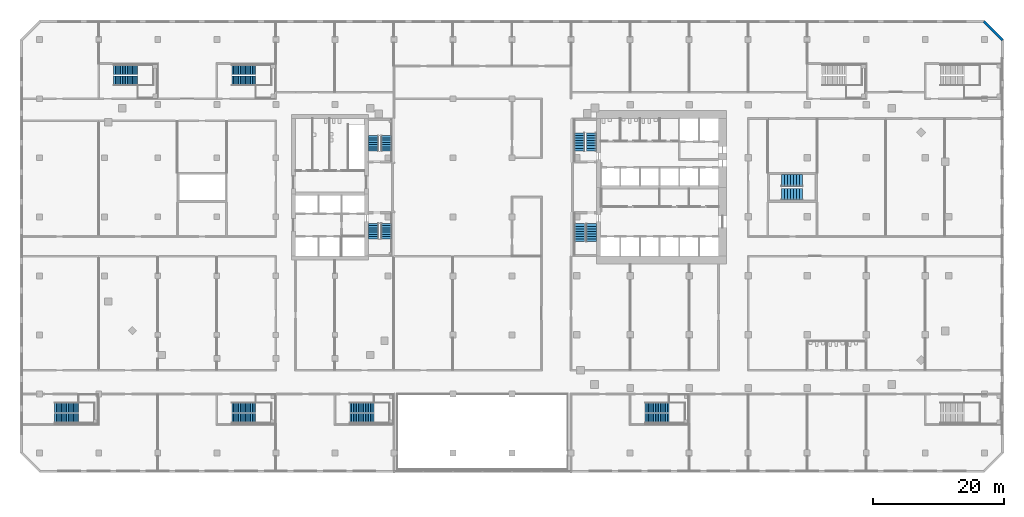
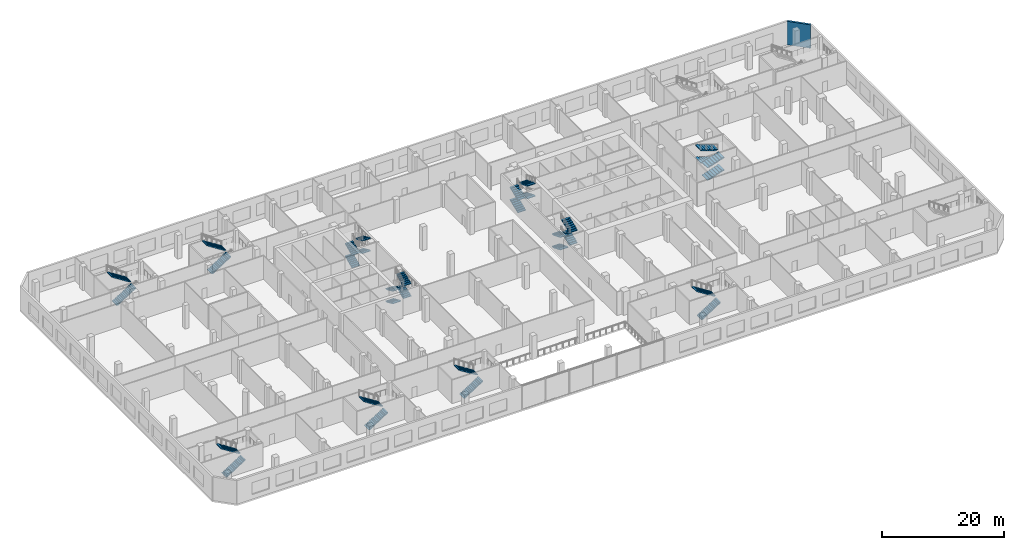
# One storey, part 17 of 23: 32 stair flights, 1 wall, 11 elements without a shape of their own.
"""IFC4 building model written with IfcOpenShell, lengths in metres."""

from ifc_helpers import new_model, si_unit, direction, frame, frame_2d, origin, place, context, subcontext, project, spatial, polyline, rectangle, outline, extrude, material, layer, layer_set, type_object, element, aggregate, save


model = new_model("IFC4")

# Units and contexts
model_context = context("Model", 3, precision=1e-05, world=origin(), true_north=direction((0.0, 1.0)))
body_context = subcontext(model_context, "Body", "Model", "MODEL_VIEW")
ifc_project = project(units=[si_unit("LENGTHUNIT", "METRE"), si_unit("AREAUNIT", "SQUARE_METRE"), si_unit("VOLUMEUNIT", "CUBIC_METRE"), si_unit("PLANEANGLEUNIT", "RADIAN"), si_unit("MASSUNIT", "GRAM", prefix="KILO")], contexts=[model_context])

# Site, building, storey
site_placement = place(None, origin())
site = spatial("IfcSite", under=ifc_project, at=site_placement, CompositionType="ELEMENT")
building_placement = place(site_placement, origin())
building = spatial("IfcBuilding", under=site, at=building_placement, Name="Cinnabar Reach Civic Tower", CompositionType="ELEMENT")
storey_placement = place(building_placement, frame((0.0, 0.0, 6.0)))
storey = spatial("IfcBuildingStorey", under=building, at=storey_placement, Name="L01", CompositionType="ELEMENT", Elevation=6.0)

# Wall
ifc_material_1 = material(Name="Facing brick with insulated backing", Category="masonry")
ifc_layer = layer(ifc_material_1, 0.36)
ifc_layer_set = layer_set([ifc_layer], Name="Brick corner wall")
wall_type = type_object("IfcWallType", Name="Brick corner wall", PredefinedType="STANDARD", material=ifc_layer_set)
wall_placement = place(storey_placement, frame((65.7843, 53.9611, 0.0), z_axis=(0.0, 0.0, 1.0), x_axis=(-0.707106781187, 0.707106781187, 0.0)))
element("IfcWall", 1, at=wall_placement, inside=storey, type_object=wall_type, Name="Brick corner wall", PredefinedType="STANDARD", context=body_context, shape_type="SweptSolid", body=[
    extrude(rectangle(XDim=3.9926, YDim=0.36, at=frame_2d((1.9963, 0.0))), origin(), (0.0, 0.0, 1.0), 4.7),
])

# Stair, stair flights
ifc_material_2 = material(Name="Concrete C35", Category="concrete")
stair_type_1 = type_object("IfcStairType", Name="Podium exit stair 1500", PredefinedType="HALF_TURN_STAIR", material=ifc_material_2)
stair_1_placement = place(storey_placement, origin())
stair_1 = element("IfcStair", 2, at=stair_1_placement, inside=storey, type_object=stair_type_1, Name="Stair PS1", PredefinedType="HALF_TURN_STAIR")
stair_flight_type_1 = type_object("IfcStairFlightType", Name="Podium exit stair flight 1500", PredefinedType="STRAIGHT", material=ifc_material_2)
stair_flight_1_placement = place(storey_placement, frame((-78.71, -3.75, 0.0), z_axis=(0.0, 0.0, 1.0), x_axis=(1.0, 0.0, 0.0)))
stair_flight_1 = element("IfcStairFlight", 3, at=stair_flight_1_placement, type_object=stair_flight_type_1, Name="PS1 flight 1", NumberOfRisers=15, NumberOfTreads=14, PredefinedType="STRAIGHT", RiserHeight=0.166666667, TreadLength=0.26, context=body_context, shape_type="SweptSolid", body=[
    extrude(outline(polyline([(0.0, 0.0), (0.0, 0.1667), (0.26, 0.1667), (0.26, 0.3333), (0.52, 0.3333), (0.52, 0.5), (0.78, 0.5), (0.78, 0.6667), (1.04, 0.6667), (1.04, 0.8333), (1.3, 0.8333), (1.3, 1.0), (1.56, 1.0), (1.56, 1.1667), (1.82, 1.1667), (1.82, 1.3333), (2.08, 1.3333), (2.08, 1.5), (2.34, 1.5), (2.34, 1.6667), (2.6, 1.6667), (2.6, 1.8333), (2.86, 1.8333), (2.86, 2.0), (3.12, 2.0), (3.12, 2.1667), (3.38, 2.1667), (3.38, 2.3333), (3.64, 2.3333), (3.64, 2.5), (3.64, 2.1552), (0.2779, 0.0), (0.0, 0.0)])), frame((0.0, 0.75, 0.0), z_axis=(0.0, -1.0, 0.0), x_axis=(1.0, 0.0, 0.0)), (0.0, 0.0, 1.0), 1.5),
])
stair_flight_2_placement = place(storey_placement, frame((-75.07, -2.05, 2.5), z_axis=(0.0, 0.0, 1.0), x_axis=(-1.0, 0.0, 0.0)))
stair_flight_2 = element("IfcStairFlight", 4, at=stair_flight_2_placement, type_object=stair_flight_type_1, Name="PS1 flight 2", NumberOfRisers=15, NumberOfTreads=14, PredefinedType="STRAIGHT", RiserHeight=0.166666667, TreadLength=0.26, context=body_context, shape_type="SweptSolid", body=[
    extrude(outline(polyline([(0.0, 0.0), (0.0, 0.1667), (0.26, 0.1667), (0.26, 0.3333), (0.52, 0.3333), (0.52, 0.5), (0.78, 0.5), (0.78, 0.6667), (1.04, 0.6667), (1.04, 0.8333), (1.3, 0.8333), (1.3, 1.0), (1.56, 1.0), (1.56, 1.1667), (1.82, 1.1667), (1.82, 1.3333), (2.08, 1.3333), (2.08, 1.5), (2.34, 1.5), (2.34, 1.6667), (2.6, 1.6667), (2.6, 1.8333), (2.86, 1.8333), (2.86, 2.0), (3.12, 2.0), (3.12, 2.1667), (3.38, 2.1667), (3.38, 2.3333), (3.64, 2.3333), (3.64, 2.5), (3.64, 2.1552), (0.2779, 0.0), (0.0, 0.0)])), frame((0.0, 0.75, 0.0), z_axis=(0.0, -1.0, 0.0), x_axis=(1.0, 0.0, 0.0)), (0.0, 0.0, 1.0), 1.5),
])
aggregate(stair_1, [stair_flight_1, stair_flight_2])

stair_2_placement = place(storey_placement, origin())
stair_2 = element("IfcStair", 5, at=stair_2_placement, inside=storey, type_object=stair_type_1, Name="Stair PS2", PredefinedType="HALF_TURN_STAIR")
stair_flight_3_placement = place(storey_placement, frame((-69.71, 47.75, 0.0), z_axis=(0.0, 0.0, 1.0), x_axis=(1.0, 0.0, 0.0)))
stair_flight_3 = element("IfcStairFlight", 6, at=stair_flight_3_placement, type_object=stair_flight_type_1, Name="PS2 flight 1", NumberOfRisers=15, NumberOfTreads=14, PredefinedType="STRAIGHT", RiserHeight=0.166666667, TreadLength=0.26, context=body_context, shape_type="SweptSolid", body=[
    extrude(outline(polyline([(0.0, 0.0), (0.0, 0.1667), (0.26, 0.1667), (0.26, 0.3333), (0.52, 0.3333), (0.52, 0.5), (0.78, 0.5), (0.78, 0.6667), (1.04, 0.6667), (1.04, 0.8333), (1.3, 0.8333), (1.3, 1.0), (1.56, 1.0), (1.56, 1.1667), (1.82, 1.1667), (1.82, 1.3333), (2.08, 1.3333), (2.08, 1.5), (2.34, 1.5), (2.34, 1.6667), (2.6, 1.6667), (2.6, 1.8333), (2.86, 1.8333), (2.86, 2.0), (3.12, 2.0), (3.12, 2.1667), (3.38, 2.1667), (3.38, 2.3333), (3.64, 2.3333), (3.64, 2.5), (3.64, 2.1552), (0.2779, 0.0), (0.0, 0.0)])), frame((0.0, 0.75, 0.0), z_axis=(0.0, -1.0, 0.0), x_axis=(1.0, 0.0, 0.0)), (0.0, 0.0, 1.0), 1.5),
])
stair_flight_4_placement = place(storey_placement, frame((-66.07, 49.45, 2.5), z_axis=(0.0, 0.0, 1.0), x_axis=(-1.0, 0.0, 0.0)))
stair_flight_4 = element("IfcStairFlight", 7, at=stair_flight_4_placement, type_object=stair_flight_type_1, Name="PS2 flight 2", NumberOfRisers=15, NumberOfTreads=14, PredefinedType="STRAIGHT", RiserHeight=0.166666667, TreadLength=0.26, context=body_context, shape_type="SweptSolid", body=[
    extrude(outline(polyline([(0.0, 0.0), (0.0, 0.1667), (0.26, 0.1667), (0.26, 0.3333), (0.52, 0.3333), (0.52, 0.5), (0.78, 0.5), (0.78, 0.6667), (1.04, 0.6667), (1.04, 0.8333), (1.3, 0.8333), (1.3, 1.0), (1.56, 1.0), (1.56, 1.1667), (1.82, 1.1667), (1.82, 1.3333), (2.08, 1.3333), (2.08, 1.5), (2.34, 1.5), (2.34, 1.6667), (2.6, 1.6667), (2.6, 1.8333), (2.86, 1.8333), (2.86, 2.0), (3.12, 2.0), (3.12, 2.1667), (3.38, 2.1667), (3.38, 2.3333), (3.64, 2.3333), (3.64, 2.5), (3.64, 2.1552), (0.2779, 0.0), (0.0, 0.0)])), frame((0.0, 0.75, 0.0), z_axis=(0.0, -1.0, 0.0), x_axis=(1.0, 0.0, 0.0)), (0.0, 0.0, 1.0), 1.5),
])
aggregate(stair_2, [stair_flight_3, stair_flight_4])

stair_3_placement = place(storey_placement, origin())
stair_3 = element("IfcStair", 8, at=stair_3_placement, inside=storey, type_object=stair_type_1, Name="Stair PS3", PredefinedType="HALF_TURN_STAIR")
stair_flight_5_placement = place(storey_placement, frame((11.29, -3.75, 0.0), z_axis=(0.0, 0.0, 1.0), x_axis=(1.0, 0.0, 0.0)))
stair_flight_5 = element("IfcStairFlight", 9, at=stair_flight_5_placement, type_object=stair_flight_type_1, Name="PS3 flight 1", NumberOfRisers=15, NumberOfTreads=14, PredefinedType="STRAIGHT", RiserHeight=0.166666667, TreadLength=0.26, context=body_context, shape_type="SweptSolid", body=[
    extrude(outline(polyline([(0.0, 0.0), (0.0, 0.1667), (0.26, 0.1667), (0.26, 0.3333), (0.52, 0.3333), (0.52, 0.5), (0.78, 0.5), (0.78, 0.6667), (1.04, 0.6667), (1.04, 0.8333), (1.3, 0.8333), (1.3, 1.0), (1.56, 1.0), (1.56, 1.1667), (1.82, 1.1667), (1.82, 1.3333), (2.08, 1.3333), (2.08, 1.5), (2.34, 1.5), (2.34, 1.6667), (2.6, 1.6667), (2.6, 1.8333), (2.86, 1.8333), (2.86, 2.0), (3.12, 2.0), (3.12, 2.1667), (3.38, 2.1667), (3.38, 2.3333), (3.64, 2.3333), (3.64, 2.5), (3.64, 2.1552), (0.2779, 0.0), (0.0, 0.0)])), frame((0.0, 0.75, 0.0), z_axis=(0.0, -1.0, 0.0), x_axis=(1.0, 0.0, 0.0)), (0.0, 0.0, 1.0), 1.5),
])
stair_flight_6_placement = place(storey_placement, frame((14.93, -2.05, 2.5), z_axis=(0.0, 0.0, 1.0), x_axis=(-1.0, 0.0, 0.0)))
stair_flight_6 = element("IfcStairFlight", 10, at=stair_flight_6_placement, type_object=stair_flight_type_1, Name="PS3 flight 2", NumberOfRisers=15, NumberOfTreads=14, PredefinedType="STRAIGHT", RiserHeight=0.166666667, TreadLength=0.26, context=body_context, shape_type="SweptSolid", body=[
    extrude(outline(polyline([(0.0, 0.0), (0.0, 0.1667), (0.26, 0.1667), (0.26, 0.3333), (0.52, 0.3333), (0.52, 0.5), (0.78, 0.5), (0.78, 0.6667), (1.04, 0.6667), (1.04, 0.8333), (1.3, 0.8333), (1.3, 1.0), (1.56, 1.0), (1.56, 1.1667), (1.82, 1.1667), (1.82, 1.3333), (2.08, 1.3333), (2.08, 1.5), (2.34, 1.5), (2.34, 1.6667), (2.6, 1.6667), (2.6, 1.8333), (2.86, 1.8333), (2.86, 2.0), (3.12, 2.0), (3.12, 2.1667), (3.38, 2.1667), (3.38, 2.3333), (3.64, 2.3333), (3.64, 2.5), (3.64, 2.1552), (0.2779, 0.0), (0.0, 0.0)])), frame((0.0, 0.75, 0.0), z_axis=(0.0, -1.0, 0.0), x_axis=(1.0, 0.0, 0.0)), (0.0, 0.0, 1.0), 1.5),
])
aggregate(stair_3, [stair_flight_5, stair_flight_6])

stair_4_placement = place(storey_placement, origin())
stair_4 = element("IfcStair", 11, at=stair_4_placement, inside=storey, type_object=stair_type_1, Name="Stair PS7", PredefinedType="HALF_TURN_STAIR")
stair_flight_7_placement = place(storey_placement, frame((-51.71, 47.75, 0.0), z_axis=(0.0, 0.0, 1.0), x_axis=(1.0, 0.0, 0.0)))
stair_flight_7 = element("IfcStairFlight", 12, at=stair_flight_7_placement, type_object=stair_flight_type_1, Name="PS7 flight 1", NumberOfRisers=15, NumberOfTreads=14, PredefinedType="STRAIGHT", RiserHeight=0.166666667, TreadLength=0.26, context=body_context, shape_type="SweptSolid", body=[
    extrude(outline(polyline([(0.0, 0.0), (0.0, 0.1667), (0.26, 0.1667), (0.26, 0.3333), (0.52, 0.3333), (0.52, 0.5), (0.78, 0.5), (0.78, 0.6667), (1.04, 0.6667), (1.04, 0.8333), (1.3, 0.8333), (1.3, 1.0), (1.56, 1.0), (1.56, 1.1667), (1.82, 1.1667), (1.82, 1.3333), (2.08, 1.3333), (2.08, 1.5), (2.34, 1.5), (2.34, 1.6667), (2.6, 1.6667), (2.6, 1.8333), (2.86, 1.8333), (2.86, 2.0), (3.12, 2.0), (3.12, 2.1667), (3.38, 2.1667), (3.38, 2.3333), (3.64, 2.3333), (3.64, 2.5), (3.64, 2.1552), (0.2779, 0.0), (0.0, 0.0)])), frame((0.0, 0.75, 0.0), z_axis=(0.0, -1.0, 0.0), x_axis=(1.0, 0.0, 0.0)), (0.0, 0.0, 1.0), 1.5),
])
stair_flight_8_placement = place(storey_placement, frame((-48.07, 49.45, 2.5), z_axis=(0.0, 0.0, 1.0), x_axis=(-1.0, 0.0, 0.0)))
stair_flight_8 = element("IfcStairFlight", 13, at=stair_flight_8_placement, type_object=stair_flight_type_1, Name="PS7 flight 2", NumberOfRisers=15, NumberOfTreads=14, PredefinedType="STRAIGHT", RiserHeight=0.166666667, TreadLength=0.26, context=body_context, shape_type="SweptSolid", body=[
    extrude(outline(polyline([(0.0, 0.0), (0.0, 0.1667), (0.26, 0.1667), (0.26, 0.3333), (0.52, 0.3333), (0.52, 0.5), (0.78, 0.5), (0.78, 0.6667), (1.04, 0.6667), (1.04, 0.8333), (1.3, 0.8333), (1.3, 1.0), (1.56, 1.0), (1.56, 1.1667), (1.82, 1.1667), (1.82, 1.3333), (2.08, 1.3333), (2.08, 1.5), (2.34, 1.5), (2.34, 1.6667), (2.6, 1.6667), (2.6, 1.8333), (2.86, 1.8333), (2.86, 2.0), (3.12, 2.0), (3.12, 2.1667), (3.38, 2.1667), (3.38, 2.3333), (3.64, 2.3333), (3.64, 2.5), (3.64, 2.1552), (0.2779, 0.0), (0.0, 0.0)])), frame((0.0, 0.75, 0.0), z_axis=(0.0, -1.0, 0.0), x_axis=(1.0, 0.0, 0.0)), (0.0, 0.0, 1.0), 1.5),
])
aggregate(stair_4, [stair_flight_7, stair_flight_8])

stair_5_placement = place(storey_placement, origin())
stair_5 = element("IfcStair", 14, at=stair_5_placement, inside=storey, type_object=stair_type_1, Name="Stair PS8", PredefinedType="HALF_TURN_STAIR")
stair_flight_9_placement = place(storey_placement, frame((-51.71, -3.75, 0.0), z_axis=(0.0, 0.0, 1.0), x_axis=(1.0, 0.0, 0.0)))
stair_flight_9 = element("IfcStairFlight", 15, at=stair_flight_9_placement, type_object=stair_flight_type_1, Name="PS8 flight 1", NumberOfRisers=15, NumberOfTreads=14, PredefinedType="STRAIGHT", RiserHeight=0.166666667, TreadLength=0.26, context=body_context, shape_type="SweptSolid", body=[
    extrude(outline(polyline([(0.0, 0.0), (0.0, 0.1667), (0.26, 0.1667), (0.26, 0.3333), (0.52, 0.3333), (0.52, 0.5), (0.78, 0.5), (0.78, 0.6667), (1.04, 0.6667), (1.04, 0.8333), (1.3, 0.8333), (1.3, 1.0), (1.56, 1.0), (1.56, 1.1667), (1.82, 1.1667), (1.82, 1.3333), (2.08, 1.3333), (2.08, 1.5), (2.34, 1.5), (2.34, 1.6667), (2.6, 1.6667), (2.6, 1.8333), (2.86, 1.8333), (2.86, 2.0), (3.12, 2.0), (3.12, 2.1667), (3.38, 2.1667), (3.38, 2.3333), (3.64, 2.3333), (3.64, 2.5), (3.64, 2.1552), (0.2779, 0.0), (0.0, 0.0)])), frame((0.0, 0.75, 0.0), z_axis=(0.0, -1.0, 0.0), x_axis=(1.0, 0.0, 0.0)), (0.0, 0.0, 1.0), 1.5),
])
stair_flight_10_placement = place(storey_placement, frame((-48.07, -2.05, 2.5), z_axis=(0.0, 0.0, 1.0), x_axis=(-1.0, 0.0, 0.0)))
stair_flight_10 = element("IfcStairFlight", 16, at=stair_flight_10_placement, type_object=stair_flight_type_1, Name="PS8 flight 2", NumberOfRisers=15, NumberOfTreads=14, PredefinedType="STRAIGHT", RiserHeight=0.166666667, TreadLength=0.26, context=body_context, shape_type="SweptSolid", body=[
    extrude(outline(polyline([(0.0, 0.0), (0.0, 0.1667), (0.26, 0.1667), (0.26, 0.3333), (0.52, 0.3333), (0.52, 0.5), (0.78, 0.5), (0.78, 0.6667), (1.04, 0.6667), (1.04, 0.8333), (1.3, 0.8333), (1.3, 1.0), (1.56, 1.0), (1.56, 1.1667), (1.82, 1.1667), (1.82, 1.3333), (2.08, 1.3333), (2.08, 1.5), (2.34, 1.5), (2.34, 1.6667), (2.6, 1.6667), (2.6, 1.8333), (2.86, 1.8333), (2.86, 2.0), (3.12, 2.0), (3.12, 2.1667), (3.38, 2.1667), (3.38, 2.3333), (3.64, 2.3333), (3.64, 2.5), (3.64, 2.1552), (0.2779, 0.0), (0.0, 0.0)])), frame((0.0, 0.75, 0.0), z_axis=(0.0, -1.0, 0.0), x_axis=(1.0, 0.0, 0.0)), (0.0, 0.0, 1.0), 1.5),
])
aggregate(stair_5, [stair_flight_9, stair_flight_10])

stair_6_placement = place(storey_placement, origin())
stair_6 = element("IfcStair", 17, at=stair_6_placement, inside=storey, type_object=stair_type_1, Name="Stair PS9", PredefinedType="HALF_TURN_STAIR")
stair_flight_11_placement = place(storey_placement, frame((-33.71, -3.75, 0.0), z_axis=(0.0, 0.0, 1.0), x_axis=(1.0, 0.0, 0.0)))
stair_flight_11 = element("IfcStairFlight", 18, at=stair_flight_11_placement, type_object=stair_flight_type_1, Name="PS9 flight 1", NumberOfRisers=15, NumberOfTreads=14, PredefinedType="STRAIGHT", RiserHeight=0.166666667, TreadLength=0.26, context=body_context, shape_type="SweptSolid", body=[
    extrude(outline(polyline([(0.0, 0.0), (0.0, 0.1667), (0.26, 0.1667), (0.26, 0.3333), (0.52, 0.3333), (0.52, 0.5), (0.78, 0.5), (0.78, 0.6667), (1.04, 0.6667), (1.04, 0.8333), (1.3, 0.8333), (1.3, 1.0), (1.56, 1.0), (1.56, 1.1667), (1.82, 1.1667), (1.82, 1.3333), (2.08, 1.3333), (2.08, 1.5), (2.34, 1.5), (2.34, 1.6667), (2.6, 1.6667), (2.6, 1.8333), (2.86, 1.8333), (2.86, 2.0), (3.12, 2.0), (3.12, 2.1667), (3.38, 2.1667), (3.38, 2.3333), (3.64, 2.3333), (3.64, 2.5), (3.64, 2.1552), (0.2779, 0.0), (0.0, 0.0)])), frame((0.0, 0.75, 0.0), z_axis=(0.0, -1.0, 0.0), x_axis=(1.0, 0.0, 0.0)), (0.0, 0.0, 1.0), 1.5),
])
stair_flight_12_placement = place(storey_placement, frame((-30.07, -2.05, 2.5), z_axis=(0.0, 0.0, 1.0), x_axis=(-1.0, 0.0, 0.0)))
stair_flight_12 = element("IfcStairFlight", 19, at=stair_flight_12_placement, type_object=stair_flight_type_1, Name="PS9 flight 2", NumberOfRisers=15, NumberOfTreads=14, PredefinedType="STRAIGHT", RiserHeight=0.166666667, TreadLength=0.26, context=body_context, shape_type="SweptSolid", body=[
    extrude(outline(polyline([(0.0, 0.0), (0.0, 0.1667), (0.26, 0.1667), (0.26, 0.3333), (0.52, 0.3333), (0.52, 0.5), (0.78, 0.5), (0.78, 0.6667), (1.04, 0.6667), (1.04, 0.8333), (1.3, 0.8333), (1.3, 1.0), (1.56, 1.0), (1.56, 1.1667), (1.82, 1.1667), (1.82, 1.3333), (2.08, 1.3333), (2.08, 1.5), (2.34, 1.5), (2.34, 1.6667), (2.6, 1.6667), (2.6, 1.8333), (2.86, 1.8333), (2.86, 2.0), (3.12, 2.0), (3.12, 2.1667), (3.38, 2.1667), (3.38, 2.3333), (3.64, 2.3333), (3.64, 2.5), (3.64, 2.1552), (0.2779, 0.0), (0.0, 0.0)])), frame((0.0, 0.75, 0.0), z_axis=(0.0, -1.0, 0.0), x_axis=(1.0, 0.0, 0.0)), (0.0, 0.0, 1.0), 1.5),
])
aggregate(stair_6, [stair_flight_11, stair_flight_12])

ifc_material_3 = material(Name="Concrete C40/50", Category="concrete")
stair_type_2 = type_object("IfcStairType", Name="T1 Exit stair, double return", PredefinedType="DOUBLE_RETURN_STAIR", material=ifc_material_3)
stair_7_placement = place(storey_placement, origin())
stair_7 = element("IfcStair", 20, at=stair_7_placement, inside=storey, type_object=stair_type_2, Name="Stair T1-S1", PredefinedType="DOUBLE_RETURN_STAIR")
stair_flight_type_2 = type_object("IfcStairFlightType", Name="T1 Stair flight, concrete", PredefinedType="STRAIGHT", material=ifc_material_3)
stair_flight_13_placement = place(storey_placement, frame((1.3125, 25.95, 0.0), z_axis=(0.0, 0.0, 1.0), x_axis=(0.0, -1.0, 0.0)))
stair_flight_13 = element("IfcStairFlight", 21, at=stair_flight_13_placement, type_object=stair_flight_type_2, Name="T1-S1 flight 1", NumberOfRisers=8, NumberOfTreads=7, PredefinedType="STRAIGHT", RiserHeight=0.15625, TreadLength=0.392142857, context=body_context, shape_type="SweptSolid", body=[
    extrude(outline(polyline([(0.0, 0.0), (0.0, 0.1562), (0.3921, 0.1562), (0.3921, 0.3125), (0.7843, 0.3125), (0.7843, 0.4688), (1.1764, 0.4688), (1.1764, 0.625), (1.5686, 0.625), (1.5686, 0.7812), (1.9607, 0.7812), (1.9607, 0.9375), (2.3529, 0.9375), (2.3529, 1.0938), (2.745, 1.0938), (2.745, 1.25), (2.745, 0.9323), (0.4052, 0.0), (0.0, 0.0)])), frame((0.0, 0.7625, 0.0), z_axis=(0.0, -1.0, 0.0), x_axis=(1.0, 0.0, 0.0)), (0.0, 0.0, 1.0), 1.525),
])
stair_flight_14_placement = place(storey_placement, frame((3.0875, 23.205, 1.25), z_axis=(0.0, 0.0, 1.0), x_axis=(0.0, 1.0, 0.0)))
stair_flight_14 = element("IfcStairFlight", 22, at=stair_flight_14_placement, type_object=stair_flight_type_2, Name="T1-S1 flight 2", NumberOfRisers=8, NumberOfTreads=7, PredefinedType="STRAIGHT", RiserHeight=0.15625, TreadLength=0.392142857, context=body_context, shape_type="SweptSolid", body=[
    extrude(outline(polyline([(0.0, 0.0), (0.0, 0.1562), (0.3921, 0.1562), (0.3921, 0.3125), (0.7843, 0.3125), (0.7843, 0.4688), (1.1764, 0.4688), (1.1764, 0.625), (1.5686, 0.625), (1.5686, 0.7812), (1.9607, 0.7812), (1.9607, 0.9375), (2.3529, 0.9375), (2.3529, 1.0938), (2.745, 1.0938), (2.745, 1.25), (2.745, 0.9323), (0.4052, 0.0), (0.0, 0.0)])), frame((0.0, 0.7625, 0.0), z_axis=(0.0, -1.0, 0.0), x_axis=(1.0, 0.0, 0.0)), (0.0, 0.0, 1.0), 1.525),
])
stair_flight_15_placement = place(storey_placement, frame((1.3125, 25.95, 2.5), z_axis=(0.0, 0.0, 1.0), x_axis=(0.0, -1.0, 0.0)))
stair_flight_15 = element("IfcStairFlight", 23, at=stair_flight_15_placement, type_object=stair_flight_type_2, Name="T1-S1 flight 3", NumberOfRisers=8, NumberOfTreads=7, PredefinedType="STRAIGHT", RiserHeight=0.15625, TreadLength=0.392142857, context=body_context, shape_type="SweptSolid", body=[
    extrude(outline(polyline([(0.0, 0.0), (0.0, 0.1562), (0.3921, 0.1562), (0.3921, 0.3125), (0.7843, 0.3125), (0.7843, 0.4688), (1.1764, 0.4688), (1.1764, 0.625), (1.5686, 0.625), (1.5686, 0.7812), (1.9607, 0.7812), (1.9607, 0.9375), (2.3529, 0.9375), (2.3529, 1.0938), (2.745, 1.0938), (2.745, 1.25), (2.745, 0.9323), (0.4052, 0.0), (0.0, 0.0)])), frame((0.0, 0.7625, 0.0), z_axis=(0.0, -1.0, 0.0), x_axis=(1.0, 0.0, 0.0)), (0.0, 0.0, 1.0), 1.525),
])
stair_flight_16_placement = place(storey_placement, frame((3.0875, 23.205, 3.75), z_axis=(0.0, 0.0, 1.0), x_axis=(0.0, 1.0, 0.0)))
stair_flight_16 = element("IfcStairFlight", 24, at=stair_flight_16_placement, type_object=stair_flight_type_2, Name="T1-S1 flight 4", NumberOfRisers=8, NumberOfTreads=7, PredefinedType="STRAIGHT", RiserHeight=0.15625, TreadLength=0.392142857, context=body_context, shape_type="SweptSolid", body=[
    extrude(outline(polyline([(0.0, 0.0), (0.0, 0.1562), (0.3921, 0.1562), (0.3921, 0.3125), (0.7843, 0.3125), (0.7843, 0.4688), (1.1764, 0.4688), (1.1764, 0.625), (1.5686, 0.625), (1.5686, 0.7812), (1.9607, 0.7812), (1.9607, 0.9375), (2.3529, 0.9375), (2.3529, 1.0938), (2.745, 1.0938), (2.745, 1.25), (2.745, 0.9323), (0.4052, 0.0), (0.0, 0.0)])), frame((0.0, 0.7625, 0.0), z_axis=(0.0, -1.0, 0.0), x_axis=(1.0, 0.0, 0.0)), (0.0, 0.0, 1.0), 1.525),
])
aggregate(stair_7, [stair_flight_13, stair_flight_14, stair_flight_15, stair_flight_16])

stair_8_placement = place(storey_placement, origin())
stair_8 = element("IfcStair", 25, at=stair_8_placement, inside=storey, type_object=stair_type_2, Name="Stair T1-S2", PredefinedType="DOUBLE_RETURN_STAIR")
stair_flight_17_placement = place(storey_placement, frame((1.3125, 37.05, 0.0), z_axis=(0.0, 0.0, 1.0), x_axis=(0.0, 1.0, 0.0)))
stair_flight_17 = element("IfcStairFlight", 26, at=stair_flight_17_placement, type_object=stair_flight_type_2, Name="T1-S2 flight 1", NumberOfRisers=8, NumberOfTreads=7, PredefinedType="STRAIGHT", RiserHeight=0.15625, TreadLength=0.392142857, context=body_context, shape_type="SweptSolid", body=[
    extrude(outline(polyline([(0.0, 0.0), (0.0, 0.1562), (0.3921, 0.1562), (0.3921, 0.3125), (0.7843, 0.3125), (0.7843, 0.4688), (1.1764, 0.4688), (1.1764, 0.625), (1.5686, 0.625), (1.5686, 0.7812), (1.9607, 0.7812), (1.9607, 0.9375), (2.3529, 0.9375), (2.3529, 1.0938), (2.745, 1.0938), (2.745, 1.25), (2.745, 0.9323), (0.4052, 0.0), (0.0, 0.0)])), frame((0.0, 0.7625, 0.0), z_axis=(0.0, -1.0, 0.0), x_axis=(1.0, 0.0, 0.0)), (0.0, 0.0, 1.0), 1.525),
])
stair_flight_18_placement = place(storey_placement, frame((3.0875, 39.795, 1.25), z_axis=(0.0, 0.0, 1.0), x_axis=(0.0, -1.0, 0.0)))
stair_flight_18 = element("IfcStairFlight", 27, at=stair_flight_18_placement, type_object=stair_flight_type_2, Name="T1-S2 flight 2", NumberOfRisers=8, NumberOfTreads=7, PredefinedType="STRAIGHT", RiserHeight=0.15625, TreadLength=0.392142857, context=body_context, shape_type="SweptSolid", body=[
    extrude(outline(polyline([(0.0, 0.0), (0.0, 0.1562), (0.3921, 0.1562), (0.3921, 0.3125), (0.7843, 0.3125), (0.7843, 0.4688), (1.1764, 0.4688), (1.1764, 0.625), (1.5686, 0.625), (1.5686, 0.7812), (1.9607, 0.7812), (1.9607, 0.9375), (2.3529, 0.9375), (2.3529, 1.0938), (2.745, 1.0938), (2.745, 1.25), (2.745, 0.9323), (0.4052, 0.0), (0.0, 0.0)])), frame((0.0, 0.7625, 0.0), z_axis=(0.0, -1.0, 0.0), x_axis=(1.0, 0.0, 0.0)), (0.0, 0.0, 1.0), 1.525),
])
stair_flight_19_placement = place(storey_placement, frame((1.3125, 37.05, 2.5), z_axis=(0.0, 0.0, 1.0), x_axis=(0.0, 1.0, 0.0)))
stair_flight_19 = element("IfcStairFlight", 28, at=stair_flight_19_placement, type_object=stair_flight_type_2, Name="T1-S2 flight 3", NumberOfRisers=8, NumberOfTreads=7, PredefinedType="STRAIGHT", RiserHeight=0.15625, TreadLength=0.392142857, context=body_context, shape_type="SweptSolid", body=[
    extrude(outline(polyline([(0.0, 0.0), (0.0, 0.1562), (0.3921, 0.1562), (0.3921, 0.3125), (0.7843, 0.3125), (0.7843, 0.4688), (1.1764, 0.4688), (1.1764, 0.625), (1.5686, 0.625), (1.5686, 0.7812), (1.9607, 0.7812), (1.9607, 0.9375), (2.3529, 0.9375), (2.3529, 1.0938), (2.745, 1.0938), (2.745, 1.25), (2.745, 0.9323), (0.4052, 0.0), (0.0, 0.0)])), frame((0.0, 0.7625, 0.0), z_axis=(0.0, -1.0, 0.0), x_axis=(1.0, 0.0, 0.0)), (0.0, 0.0, 1.0), 1.525),
])
stair_flight_20_placement = place(storey_placement, frame((3.0875, 39.795, 3.75), z_axis=(0.0, 0.0, 1.0), x_axis=(0.0, -1.0, 0.0)))
stair_flight_20 = element("IfcStairFlight", 29, at=stair_flight_20_placement, type_object=stair_flight_type_2, Name="T1-S2 flight 4", NumberOfRisers=8, NumberOfTreads=7, PredefinedType="STRAIGHT", RiserHeight=0.15625, TreadLength=0.392142857, context=body_context, shape_type="SweptSolid", body=[
    extrude(outline(polyline([(0.0, 0.0), (0.0, 0.1562), (0.3921, 0.1562), (0.3921, 0.3125), (0.7843, 0.3125), (0.7843, 0.4688), (1.1764, 0.4688), (1.1764, 0.625), (1.5686, 0.625), (1.5686, 0.7812), (1.9607, 0.7812), (1.9607, 0.9375), (2.3529, 0.9375), (2.3529, 1.0938), (2.745, 1.0938), (2.745, 1.25), (2.745, 0.9323), (0.4052, 0.0), (0.0, 0.0)])), frame((0.0, 0.7625, 0.0), z_axis=(0.0, -1.0, 0.0), x_axis=(1.0, 0.0, 0.0)), (0.0, 0.0, 1.0), 1.525),
])
aggregate(stair_8, [stair_flight_17, stair_flight_18, stair_flight_19, stair_flight_20])

stair_9_placement = place(storey_placement, origin())
stair_9 = element("IfcStair", 30, at=stair_9_placement, inside=storey, type_object=stair_type_2, Name="Stair T1-S3", PredefinedType="DOUBLE_RETURN_STAIR")
stair_flight_21_placement = place(storey_placement, frame((32.05, 30.45, 0.0), z_axis=(0.0, 0.0, 1.0), x_axis=(1.0, 0.0, 0.0)))
stair_flight_21 = element("IfcStairFlight", 31, at=stair_flight_21_placement, type_object=stair_flight_type_2, Name="T1-S3 flight 1", NumberOfRisers=8, NumberOfTreads=7, PredefinedType="STRAIGHT", RiserHeight=0.15625, TreadLength=0.462857143, context=body_context, shape_type="SweptSolid", body=[
    extrude(outline(polyline([(0.0, 0.0), (0.0, 0.1562), (0.4629, 0.1562), (0.4629, 0.3125), (0.9257, 0.3125), (0.9257, 0.4688), (1.3886, 0.4688), (1.3886, 0.625), (1.8514, 0.625), (1.8514, 0.7812), (2.3143, 0.7812), (2.3143, 0.9375), (2.7771, 0.9375), (2.7771, 1.0938), (3.24, 1.0938), (3.24, 1.25), (3.24, 0.9354), (0.469, 0.0), (0.0, 0.0)])), frame((0.0, 0.9, 0.0), z_axis=(0.0, -1.0, 0.0), x_axis=(1.0, 0.0, 0.0)), (0.0, 0.0, 1.0), 1.8),
])
stair_flight_22_placement = place(storey_placement, frame((35.29, 32.55, 1.25), z_axis=(0.0, 0.0, 1.0), x_axis=(-1.0, 0.0, 0.0)))
stair_flight_22 = element("IfcStairFlight", 32, at=stair_flight_22_placement, type_object=stair_flight_type_2, Name="T1-S3 flight 2", NumberOfRisers=8, NumberOfTreads=7, PredefinedType="STRAIGHT", RiserHeight=0.15625, TreadLength=0.462857143, context=body_context, shape_type="SweptSolid", body=[
    extrude(outline(polyline([(0.0, 0.0), (0.0, 0.1562), (0.4629, 0.1562), (0.4629, 0.3125), (0.9257, 0.3125), (0.9257, 0.4688), (1.3886, 0.4688), (1.3886, 0.625), (1.8514, 0.625), (1.8514, 0.7812), (2.3143, 0.7812), (2.3143, 0.9375), (2.7771, 0.9375), (2.7771, 1.0938), (3.24, 1.0938), (3.24, 1.25), (3.24, 0.9354), (0.469, 0.0), (0.0, 0.0)])), frame((0.0, 0.9, 0.0), z_axis=(0.0, -1.0, 0.0), x_axis=(1.0, 0.0, 0.0)), (0.0, 0.0, 1.0), 1.8),
])
stair_flight_23_placement = place(storey_placement, frame((32.05, 30.45, 2.5), z_axis=(0.0, 0.0, 1.0), x_axis=(1.0, 0.0, 0.0)))
stair_flight_23 = element("IfcStairFlight", 33, at=stair_flight_23_placement, type_object=stair_flight_type_2, Name="T1-S3 flight 3", NumberOfRisers=8, NumberOfTreads=7, PredefinedType="STRAIGHT", RiserHeight=0.15625, TreadLength=0.462857143, context=body_context, shape_type="SweptSolid", body=[
    extrude(outline(polyline([(0.0, 0.0), (0.0, 0.1562), (0.4629, 0.1562), (0.4629, 0.3125), (0.9257, 0.3125), (0.9257, 0.4688), (1.3886, 0.4688), (1.3886, 0.625), (1.8514, 0.625), (1.8514, 0.7812), (2.3143, 0.7812), (2.3143, 0.9375), (2.7771, 0.9375), (2.7771, 1.0938), (3.24, 1.0938), (3.24, 1.25), (3.24, 0.9354), (0.469, 0.0), (0.0, 0.0)])), frame((0.0, 0.9, 0.0), z_axis=(0.0, -1.0, 0.0), x_axis=(1.0, 0.0, 0.0)), (0.0, 0.0, 1.0), 1.8),
])
stair_flight_24_placement = place(storey_placement, frame((35.29, 32.55, 3.75), z_axis=(0.0, 0.0, 1.0), x_axis=(-1.0, 0.0, 0.0)))
stair_flight_24 = element("IfcStairFlight", 34, at=stair_flight_24_placement, type_object=stair_flight_type_2, Name="T1-S3 flight 4", NumberOfRisers=8, NumberOfTreads=7, PredefinedType="STRAIGHT", RiserHeight=0.15625, TreadLength=0.462857143, context=body_context, shape_type="SweptSolid", body=[
    extrude(outline(polyline([(0.0, 0.0), (0.0, 0.1562), (0.4629, 0.1562), (0.4629, 0.3125), (0.9257, 0.3125), (0.9257, 0.4688), (1.3886, 0.4688), (1.3886, 0.625), (1.8514, 0.625), (1.8514, 0.7812), (2.3143, 0.7812), (2.3143, 0.9375), (2.7771, 0.9375), (2.7771, 1.0938), (3.24, 1.0938), (3.24, 1.25), (3.24, 0.9354), (0.469, 0.0), (0.0, 0.0)])), frame((0.0, 0.9, 0.0), z_axis=(0.0, -1.0, 0.0), x_axis=(1.0, 0.0, 0.0)), (0.0, 0.0, 1.0), 1.8),
])
aggregate(stair_9, [stair_flight_21, stair_flight_22, stair_flight_23, stair_flight_24])

ifc_material_4 = material(Name="Concrete C40", Category="concrete")
stair_type_3 = type_object("IfcStairType", Name="T2 Exit stair 1500", PredefinedType="HALF_TURN_STAIR", material=ifc_material_4)
stair_10_placement = place(storey_placement, origin())
stair_10 = element("IfcStair", 35, at=stair_10_placement, inside=storey, type_object=stair_type_3, Name="Exit stair 1", PredefinedType="HALF_TURN_STAIR")
stair_flight_type_3 = type_object("IfcStairFlightType", Name="T2 Stair flight 1500", PredefinedType="STRAIGHT", material=ifc_material_4)
stair_flight_25_placement = place(storey_placement, frame((-30.15, 26.0, 0.0), z_axis=(0.0, 0.0, 1.0), x_axis=(0.0, -1.0, 0.0)))
stair_flight_25 = element("IfcStairFlight", 36, at=stair_flight_25_placement, type_object=stair_flight_type_3, Name="ST1 flight 1", NumberOfRisers=8, NumberOfTreads=7, PredefinedType="STRAIGHT", RiserHeight=0.15625, TreadLength=0.3375, context=body_context, shape_type="SweptSolid", body=[
    extrude(outline(polyline([(0.0, 0.0), (0.0, 0.1562), (0.3375, 0.1562), (0.3375, 0.3125), (0.675, 0.3125), (0.675, 0.4688), (1.0125, 0.4688), (1.0125, 0.625), (1.35, 0.625), (1.35, 0.7812), (1.6875, 0.7812), (1.6875, 0.9375), (2.025, 0.9375), (2.025, 1.0938), (2.3625, 1.0938), (2.3625, 1.25), (2.3625, 0.9285), (0.357, 0.0), (0.0, 0.0)])), frame((0.0, 0.75, 0.0), z_axis=(0.0, -1.0, 0.0), x_axis=(1.0, 0.0, 0.0)), (0.0, 0.0, 1.0), 1.5),
])
stair_flight_26_placement = place(storey_placement, frame((-28.15, 23.6375, 1.25), z_axis=(0.0, 0.0, 1.0), x_axis=(0.0, 1.0, 0.0)))
stair_flight_26 = element("IfcStairFlight", 37, at=stair_flight_26_placement, type_object=stair_flight_type_3, Name="ST1 flight 2", NumberOfRisers=8, NumberOfTreads=7, PredefinedType="STRAIGHT", RiserHeight=0.15625, TreadLength=0.3375, context=body_context, shape_type="SweptSolid", body=[
    extrude(outline(polyline([(0.0, 0.0), (0.0, 0.1562), (0.3375, 0.1562), (0.3375, 0.3125), (0.675, 0.3125), (0.675, 0.4688), (1.0125, 0.4688), (1.0125, 0.625), (1.35, 0.625), (1.35, 0.7812), (1.6875, 0.7812), (1.6875, 0.9375), (2.025, 0.9375), (2.025, 1.0938), (2.3625, 1.0938), (2.3625, 1.25), (2.3625, 0.9285), (0.357, 0.0), (0.0, 0.0)])), frame((0.0, 0.75, 0.0), z_axis=(0.0, -1.0, 0.0), x_axis=(1.0, 0.0, 0.0)), (0.0, 0.0, 1.0), 1.5),
])
stair_flight_27_placement = place(storey_placement, frame((-30.15, 26.0, 2.5), z_axis=(0.0, 0.0, 1.0), x_axis=(0.0, -1.0, 0.0)))
stair_flight_27 = element("IfcStairFlight", 38, at=stair_flight_27_placement, type_object=stair_flight_type_3, Name="ST1 flight 3", NumberOfRisers=8, NumberOfTreads=7, PredefinedType="STRAIGHT", RiserHeight=0.15625, TreadLength=0.3375, context=body_context, shape_type="SweptSolid", body=[
    extrude(outline(polyline([(0.0, 0.0), (0.0, 0.1562), (0.3375, 0.1562), (0.3375, 0.3125), (0.675, 0.3125), (0.675, 0.4688), (1.0125, 0.4688), (1.0125, 0.625), (1.35, 0.625), (1.35, 0.7812), (1.6875, 0.7812), (1.6875, 0.9375), (2.025, 0.9375), (2.025, 1.0938), (2.3625, 1.0938), (2.3625, 1.25), (2.3625, 0.9285), (0.357, 0.0), (0.0, 0.0)])), frame((0.0, 0.75, 0.0), z_axis=(0.0, -1.0, 0.0), x_axis=(1.0, 0.0, 0.0)), (0.0, 0.0, 1.0), 1.5),
])
stair_flight_28_placement = place(storey_placement, frame((-28.15, 23.6375, 3.75), z_axis=(0.0, 0.0, 1.0), x_axis=(0.0, 1.0, 0.0)))
stair_flight_28 = element("IfcStairFlight", 39, at=stair_flight_28_placement, type_object=stair_flight_type_3, Name="ST1 flight 4", NumberOfRisers=8, NumberOfTreads=7, PredefinedType="STRAIGHT", RiserHeight=0.15625, TreadLength=0.3375, context=body_context, shape_type="SweptSolid", body=[
    extrude(outline(polyline([(0.0, 0.0), (0.0, 0.1562), (0.3375, 0.1562), (0.3375, 0.3125), (0.675, 0.3125), (0.675, 0.4688), (1.0125, 0.4688), (1.0125, 0.625), (1.35, 0.625), (1.35, 0.7812), (1.6875, 0.7812), (1.6875, 0.9375), (2.025, 0.9375), (2.025, 1.0938), (2.3625, 1.0938), (2.3625, 1.25), (2.3625, 0.9285), (0.357, 0.0), (0.0, 0.0)])), frame((0.0, 0.75, 0.0), z_axis=(0.0, -1.0, 0.0), x_axis=(1.0, 0.0, 0.0)), (0.0, 0.0, 1.0), 1.5),
])
aggregate(stair_10, [stair_flight_25, stair_flight_26, stair_flight_27, stair_flight_28])

stair_11_placement = place(storey_placement, origin())
stair_11 = element("IfcStair", 40, at=stair_11_placement, inside=storey, type_object=stair_type_3, Name="Exit stair 2", PredefinedType="HALF_TURN_STAIR")
stair_flight_29_placement = place(storey_placement, frame((-30.15, 37.0, 0.0), z_axis=(0.0, 0.0, 1.0), x_axis=(0.0, 1.0, 0.0)))
stair_flight_29 = element("IfcStairFlight", 41, at=stair_flight_29_placement, type_object=stair_flight_type_3, Name="ST2 flight 1", NumberOfRisers=8, NumberOfTreads=7, PredefinedType="STRAIGHT", RiserHeight=0.15625, TreadLength=0.3375, context=body_context, shape_type="SweptSolid", body=[
    extrude(outline(polyline([(0.0, 0.0), (0.0, 0.1562), (0.3375, 0.1562), (0.3375, 0.3125), (0.675, 0.3125), (0.675, 0.4688), (1.0125, 0.4688), (1.0125, 0.625), (1.35, 0.625), (1.35, 0.7812), (1.6875, 0.7812), (1.6875, 0.9375), (2.025, 0.9375), (2.025, 1.0938), (2.3625, 1.0938), (2.3625, 1.25), (2.3625, 0.9285), (0.357, 0.0), (0.0, 0.0)])), frame((0.0, 0.75, 0.0), z_axis=(0.0, -1.0, 0.0), x_axis=(1.0, 0.0, 0.0)), (0.0, 0.0, 1.0), 1.5),
])
stair_flight_30_placement = place(storey_placement, frame((-28.15, 39.3625, 1.25), z_axis=(0.0, 0.0, 1.0), x_axis=(0.0, -1.0, 0.0)))
stair_flight_30 = element("IfcStairFlight", 42, at=stair_flight_30_placement, type_object=stair_flight_type_3, Name="ST2 flight 2", NumberOfRisers=8, NumberOfTreads=7, PredefinedType="STRAIGHT", RiserHeight=0.15625, TreadLength=0.3375, context=body_context, shape_type="SweptSolid", body=[
    extrude(outline(polyline([(0.0, 0.0), (0.0, 0.1562), (0.3375, 0.1562), (0.3375, 0.3125), (0.675, 0.3125), (0.675, 0.4688), (1.0125, 0.4688), (1.0125, 0.625), (1.35, 0.625), (1.35, 0.7812), (1.6875, 0.7812), (1.6875, 0.9375), (2.025, 0.9375), (2.025, 1.0938), (2.3625, 1.0938), (2.3625, 1.25), (2.3625, 0.9285), (0.357, 0.0), (0.0, 0.0)])), frame((0.0, 0.75, 0.0), z_axis=(0.0, -1.0, 0.0), x_axis=(1.0, 0.0, 0.0)), (0.0, 0.0, 1.0), 1.5),
])
stair_flight_31_placement = place(storey_placement, frame((-30.15, 37.0, 2.5), z_axis=(0.0, 0.0, 1.0), x_axis=(0.0, 1.0, 0.0)))
stair_flight_31 = element("IfcStairFlight", 43, at=stair_flight_31_placement, type_object=stair_flight_type_3, Name="ST2 flight 3", NumberOfRisers=8, NumberOfTreads=7, PredefinedType="STRAIGHT", RiserHeight=0.15625, TreadLength=0.3375, context=body_context, shape_type="SweptSolid", body=[
    extrude(outline(polyline([(0.0, 0.0), (0.0, 0.1562), (0.3375, 0.1562), (0.3375, 0.3125), (0.675, 0.3125), (0.675, 0.4688), (1.0125, 0.4688), (1.0125, 0.625), (1.35, 0.625), (1.35, 0.7812), (1.6875, 0.7812), (1.6875, 0.9375), (2.025, 0.9375), (2.025, 1.0938), (2.3625, 1.0938), (2.3625, 1.25), (2.3625, 0.9285), (0.357, 0.0), (0.0, 0.0)])), frame((0.0, 0.75, 0.0), z_axis=(0.0, -1.0, 0.0), x_axis=(1.0, 0.0, 0.0)), (0.0, 0.0, 1.0), 1.5),
])
stair_flight_32_placement = place(storey_placement, frame((-28.15, 39.3625, 3.75), z_axis=(0.0, 0.0, 1.0), x_axis=(0.0, -1.0, 0.0)))
stair_flight_32 = element("IfcStairFlight", 44, at=stair_flight_32_placement, type_object=stair_flight_type_3, Name="ST2 flight 4", NumberOfRisers=8, NumberOfTreads=7, PredefinedType="STRAIGHT", RiserHeight=0.15625, TreadLength=0.3375, context=body_context, shape_type="SweptSolid", body=[
    extrude(outline(polyline([(0.0, 0.0), (0.0, 0.1562), (0.3375, 0.1562), (0.3375, 0.3125), (0.675, 0.3125), (0.675, 0.4688), (1.0125, 0.4688), (1.0125, 0.625), (1.35, 0.625), (1.35, 0.7812), (1.6875, 0.7812), (1.6875, 0.9375), (2.025, 0.9375), (2.025, 1.0938), (2.3625, 1.0938), (2.3625, 1.25), (2.3625, 0.9285), (0.357, 0.0), (0.0, 0.0)])), frame((0.0, 0.75, 0.0), z_axis=(0.0, -1.0, 0.0), x_axis=(1.0, 0.0, 0.0)), (0.0, 0.0, 1.0), 1.5),
])
aggregate(stair_11, [stair_flight_29, stair_flight_30, stair_flight_31, stair_flight_32])

save(model, "model.ifc")
